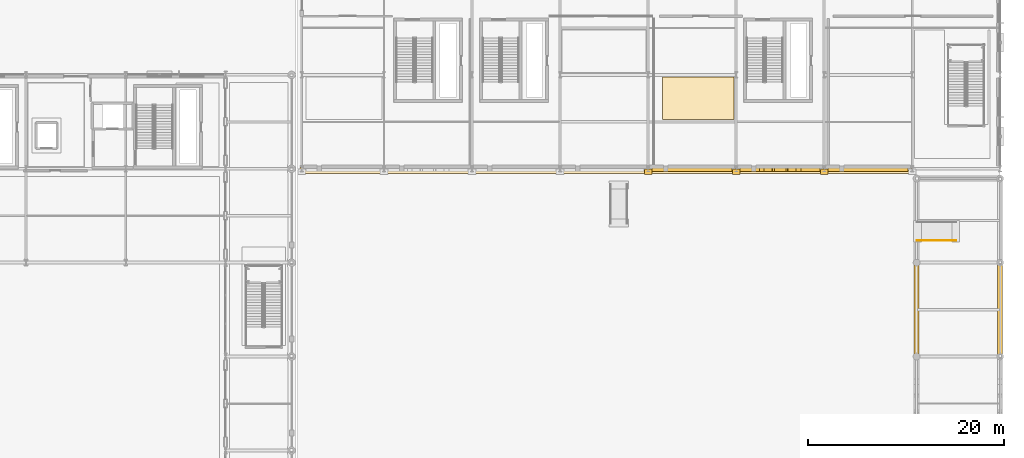
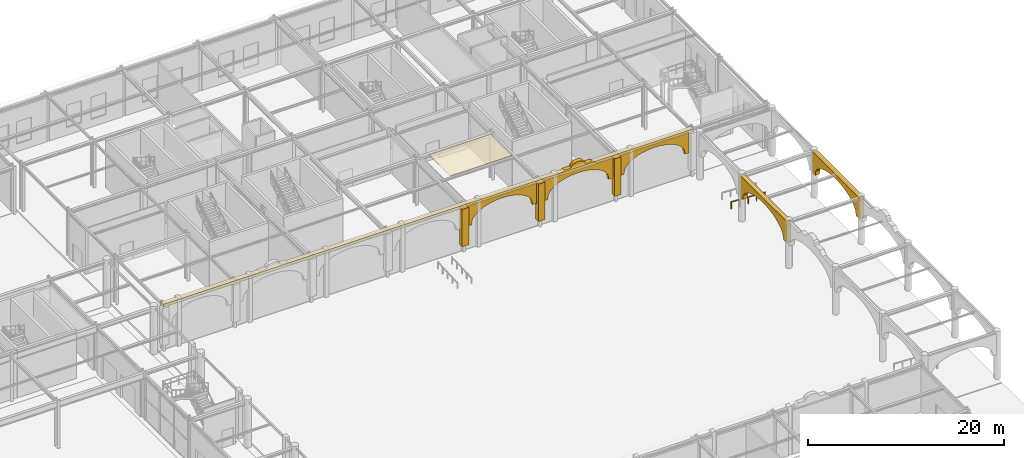
# One storey, part 105 of 113: 10 coverings, 1 railing.
"""IFC4 building model written with IfcOpenShell, lengths in metres."""

from ifc_helpers import new_model, si_unit, direction, frame, origin, origin_2d, place, context, subcontext, project, spatial, polyline, rectangle, outline, extrude, material, layer, layer_set, type_object, element, save


model = new_model("IFC4")

# Units and contexts
model_context = context("Model", 3, precision=1e-05, world=origin(), true_north=direction((0.0, 1.0)))
body_context = subcontext(model_context, "Body", "Model", "MODEL_VIEW")
ifc_project = project(units=[si_unit("LENGTHUNIT", "METRE"), si_unit("AREAUNIT", "SQUARE_METRE"), si_unit("VOLUMEUNIT", "CUBIC_METRE"), si_unit("PLANEANGLEUNIT", "RADIAN"), si_unit("MASSUNIT", "GRAM", prefix="KILO")], contexts=[model_context])

# Site, building, storey
site_placement = place(None, origin())
site = spatial("IfcSite", under=ifc_project, at=site_placement, CompositionType="ELEMENT")
building_placement = place(site_placement, origin())
building = spatial("IfcBuilding", under=site, at=building_placement, Name="Myrtia Square Station", CompositionType="ELEMENT")
storey_placement = place(building_placement, origin())
storey = spatial("IfcBuildingStorey", under=building, at=storey_placement, Name="L00", CompositionType="ELEMENT", Elevation=0.0)

# Coverings
ifc_material_1 = material(Name="Pentelic marble ashlar", Category="masonry")
ifc_layer_1 = layer(ifc_material_1, 0.4599609375, Name="Pentelic marble ashlar")
ifc_layer_set_1 = layer_set([ifc_layer_1], Name="Pentelic marble ashlar")
covering_type_1 = type_object("IfcCoveringType", Name="COV-ARCH-ASHLAR", PredefinedType="CLADDING", material=ifc_layer_set_1)
for number, where, z_axis, x_axis, name in (
    (1, (180.449951171875, 67.199951171875, 3.050048828125), (0.0, 0.0, 1.0), (0.0, 1.0, 0.0), "Forecourt square portales arch 007"),
    (2, (189.0, 67.199951171875, 3.050048828125), (0.0, 0.0, 1.0), (0.0, 1.0, 0.0), "Forecourt street portales arch 008"),
):
    element("IfcCovering", number, at=place(storey_placement, frame(where, z_axis=z_axis, x_axis=x_axis)), inside=storey, type_object=covering_type_1, Name=name, PredefinedType="CLADDING", context=body_context, shape_type="SweptSolid", body=[
        extrude(outline(polyline([(0.0, 0.0), (0.64990234375, 0.0), (0.64990234375, 0.199951171875), (0.729736328125, 0.570556640625), (0.9658203125, 0.927001953125), (1.349365234375, 1.255615234375), (1.865478515625, 1.54345703125), (2.494384765625, 1.77978515625), (3.2119140625, 1.955322265625), (3.990478515625, 2.0634765625), (4.800048828125, 2.099853515625), (5.609619140625, 2.0634765625), (6.38818359375, 1.955322265625), (7.105712890625, 1.77978515625), (7.734619140625, 1.54345703125), (8.250732421875, 1.255615234375), (8.63427734375, 0.927001953125), (8.870361328125, 0.570556640625), (8.9501953125, 0.199951171875), (8.9501953125, 0.0), (9.60009765625, 0.0), (9.60009765625, 2.669921875), (0.0, 2.669921875), (0.0, 0.0)])), frame((0.0, 0.260009765625, 0.0), z_axis=(0.0, -1.0, 0.0), x_axis=(1.0, 0.0, 0.0)), (0.0, 0.0, 1.0), 0.52001953125),
    ])
covering_1_placement = place(storey_placement, frame((153.419921875, 86.35009765625, 3.050048828125), z_axis=(0.0, 0.0, 1.0), x_axis=(1.0, 0.0, 0.0)))
element("IfcCovering", 3, at=covering_1_placement, inside=storey, type_object=covering_type_1, Name="North square portales arcade arch 035", PredefinedType="CLADDING", context=body_context, shape_type="SweptSolid", body=[
    extrude(outline(polyline([(0.0, 0.0), (0.5, 0.0), (0.5, 0.199951171875), (0.56884765625, 0.570556640625), (0.7724609375, 0.927001953125), (1.103271484375, 1.255615234375), (1.548583984375, 1.54345703125), (2.091064453125, 1.77978515625), (2.7099609375, 1.955322265625), (3.381591796875, 2.0634765625), (4.080078125, 2.099853515625), (4.778564453125, 2.0634765625), (5.4501953125, 1.955322265625), (6.069091796875, 1.77978515625), (6.611572265625, 1.54345703125), (7.056884765625, 1.255615234375), (7.3876953125, 0.927001953125), (7.59130859375, 0.570556640625), (7.66015625, 0.199951171875), (7.66015625, 0.0), (8.16015625, 0.0), (8.16015625, 2.570068359375), (0.0, 2.570068359375), (0.0, 0.0)])), frame((0.0, 0.239990234375, 0.0), z_axis=(0.0, -1.0, 0.0), x_axis=(1.0, 0.0, 0.0)), (0.0, 0.0, 1.0), 0.47998046875),
])
covering_2_placement = place(storey_placement, frame((162.419921875, 86.35009765625, 3.050048828125), z_axis=(0.0, 0.0, 1.0), x_axis=(1.0, 0.0, 0.0)))
element("IfcCovering", 4, at=covering_2_placement, inside=storey, type_object=covering_type_1, Name="North square portales arcade arch 037", PredefinedType="CLADDING", context=body_context, shape_type="SweptSolid", body=[
    extrude(outline(polyline([(0.0, 0.0), (0.5, 0.0), (0.5, 0.199951171875), (0.56884765625, 0.570556640625), (0.7724609375, 0.927001953125), (1.103271484375, 1.255615234375), (1.548583984375, 1.54345703125), (2.091064453125, 1.77978515625), (2.7099609375, 1.955322265625), (3.381591796875, 2.0634765625), (4.080078125, 2.099853515625), (4.778564453125, 2.0634765625), (5.4501953125, 1.955322265625), (6.069091796875, 1.77978515625), (6.611572265625, 1.54345703125), (7.056884765625, 1.255615234375), (7.3876953125, 0.927001953125), (7.59130859375, 0.570556640625), (7.66015625, 0.199951171875), (7.66015625, 0.0), (8.16015625, 0.0), (8.16015625, 2.570068359375), (6.20166015625, 2.570068359375), (5.712158203125, 2.968994140625), (4.89599609375, 2.968994140625), (4.833984375, 3.179931640625), (4.656982421875, 3.358642578125), (4.392333984375, 3.47802734375), (4.080078125, 3.52001953125), (3.767822265625, 3.47802734375), (3.503173828125, 3.358642578125), (3.326171875, 3.179931640625), (3.26416015625, 2.968994140625), (2.447998046875, 2.968994140625), (1.95849609375, 2.570068359375), (0.0, 2.570068359375), (0.0, 0.0)])), frame((0.0, 0.239990234375, 0.0), z_axis=(0.0, -1.0, 0.0), x_axis=(1.0, 0.0, 0.0)), (0.0, 0.0, 1.0), 0.47998046875),
])
covering_3_placement = place(storey_placement, frame((171.419921875, 86.35009765625, 3.050048828125), z_axis=(0.0, 0.0, 1.0), x_axis=(1.0, 0.0, 0.0)))
element("IfcCovering", 5, at=covering_3_placement, inside=storey, type_object=covering_type_1, Name="North square portales arcade arch 039", PredefinedType="CLADDING", context=body_context, shape_type="SweptSolid", body=[
    extrude(outline(polyline([(0.0, 0.0), (0.5, 0.0), (0.5, 0.199951171875), (0.56884765625, 0.570556640625), (0.7724609375, 0.927001953125), (1.103271484375, 1.255615234375), (1.548583984375, 1.54345703125), (2.091064453125, 1.77978515625), (2.7099609375, 1.955322265625), (3.381591796875, 2.0634765625), (4.080078125, 2.099853515625), (4.778564453125, 2.0634765625), (5.4501953125, 1.955322265625), (6.069091796875, 1.77978515625), (6.611572265625, 1.54345703125), (7.056884765625, 1.255615234375), (7.3876953125, 0.927001953125), (7.59130859375, 0.570556640625), (7.66015625, 0.199951171875), (7.66015625, 0.0), (8.16015625, 0.0), (8.16015625, 2.570068359375), (0.0, 2.570068359375), (0.0, 0.0)])), frame((0.0, 0.239990234375, 0.0), z_axis=(0.0, -1.0, 0.0), x_axis=(1.0, 0.0, 0.0)), (0.0, 0.0, 1.0), 0.47998046875),
])
for number, where, z_axis, x_axis, name in (
    (6, (153.0, 86.080078125, 0.919921875), (0.0, 0.0, 1.0), (1.0, 0.0, 0.0), "Classical Pentelic ashlar pilaster 086"),
    (7, (162.0, 86.080078125, 0.919921875), (0.0, 0.0, 1.0), (1.0, 0.0, 0.0), "Classical Pentelic ashlar pilaster 095"),
    (8, (171.0, 86.080078125, 0.919921875), (0.0, 0.0, 1.0), (1.0, 0.0, 0.0), "Classical Pentelic ashlar pilaster 105"),
):
    element("IfcCovering", number, at=place(storey_placement, frame(where, z_axis=z_axis, x_axis=x_axis)), inside=storey, type_object=covering_type_1, Name=name, PredefinedType="CLADDING", context=body_context, shape_type="SweptSolid", body=[
        extrude(rectangle(XDim=0.780029296875, YDim=0.56005859375, at=origin_2d()), origin(), (0.0, 0.0, 1.0), 4.679931640625),
    ])
ifc_material_2 = material(Name="Acoustic European oak timber", Category="wood")
ifc_layer_2 = layer(ifc_material_2, 0.044921875, Name="Acoustic European oak timber")
ifc_layer_set_2 = layer_set([ifc_layer_2], Name="Acoustic European oak timber")
covering_type_2 = type_object("IfcCoveringType", Name="COV-CEIL-OAK", PredefinedType="CEILING", material=ifc_layer_set_2)
covering_4_placement = place(storey_placement, frame((0.0, 0.0, 5.705078125)))
element("IfcCovering", 9, at=covering_4_placement, inside=storey, type_object=covering_type_2, Name="Acoustic coffer ceiling L00-15", PredefinedType="CEILING", context=body_context, shape_type="SweptSolid", body=[
    extrude(outline(polyline([(154.449951171875, 95.780029296875), (161.780029296875, 95.780029296875), (161.780029296875, 91.419921875), (154.449951171875, 91.419921875), (154.449951171875, 95.780029296875)])), origin(), (0.0, 0.0, 1.0), 0.044921875),
])
ifc_layer_3 = layer(ifc_material_1, 0.47998046875, Name="Pentelic marble ashlar")
ifc_layer_set_3 = layer_set([ifc_layer_3], Name="Pentelic marble ashlar")
covering_type_3 = type_object("IfcCoveringType", Name="COV-CORNICE-ASHLAR", PredefinedType="MOLDING", material=ifc_layer_set_3)
covering_5_placement = place(storey_placement, frame((148.699951171875, 86.22998046875, 5.6201171875), z_axis=(0.0, 0.0, 1.0), x_axis=(1.0, 0.0, 0.0)))
element("IfcCovering", 10, at=covering_5_placement, inside=storey, type_object=covering_type_3, Name="Classical entablature cornice moulding 008", PredefinedType="MOLDING", context=body_context, shape_type="SweptSolid", body=[
    extrude(rectangle(XDim=62.60009765625, YDim=0.580078125, at=origin_2d()), origin(), (0.0, 0.0, 1.0), 0.360107421875),
])

# Railing
ifc_material_3 = material(Name="Dark bronze anodised aluminium", Category="aluminium")
railing_type = type_object("IfcRailingType", Name="RL-HANDRAIL-900", PredefinedType="HANDRAIL", material=ifc_material_3)
railing_placement = place(storey_placement, frame((184.5, 79.06005859375, -0.199951171875)))
element("IfcRailing", 11, at=railing_placement, inside=storey, type_object=railing_type, Name="Accessible ramp handrail RP1-L", PredefinedType="HANDRAIL", context=body_context, shape_type="SweptSolid", body=[
    extrude(rectangle(XDim=0.048095703125, YDim=0.048095703125, at=origin_2d()), frame((-0.03466796875, 0.0, 0.877685546875), z_axis=(-0.998752946874, 0.0, 0.049925455535), x_axis=(0.0, -1.0, 0.0)), (0.0, 0.0, 1.0), 0.931884765625),
    extrude(rectangle(XDim=0.048095703125, YDim=0.048095703125, at=origin_2d()), frame((-1.03466796875, 0.0, 0.927490234375), z_axis=(-0.998752946874, 0.0, 0.049925455535), x_axis=(0.0, -1.0, 0.0)), (0.0, 0.0, 1.0), 0.931884765625),
    extrude(rectangle(XDim=0.048095703125, YDim=0.048095703125, at=origin_2d()), frame((-2.03466796875, 0.0, 0.9775390625), z_axis=(-0.998752946874, 0.0, 0.049925455535), x_axis=(0.0, -1.0, 0.0)), (0.0, 0.0, 1.0), 0.931884765625),
    extrude(rectangle(XDim=0.048095703125, YDim=0.048095703125, at=origin_2d()), frame((-3.03466796875, 0.0, 1.027587890625), z_axis=(-0.998752946874, 0.0, 0.049925455535), x_axis=(0.0, -1.0, 0.0)), (0.0, 0.0, 1.0), 0.931884765625),
    extrude(rectangle(XDim=0.0439453125, YDim=0.0439453125, at=origin_2d()), origin(), (0.0, 0.0, 1.0), 0.89990234375),
    extrude(rectangle(XDim=0.0439453125, YDim=0.0439453125, at=origin_2d()), frame((-1.0, 0.0, 0.050048828125)), (0.0, 0.0, 1.0), 0.89990234375),
    extrude(rectangle(XDim=0.0439453125, YDim=0.0439453125, at=origin_2d()), frame((-2.0, 0.0, 0.10009765625)), (0.0, 0.0, 1.0), 0.89990234375),
    extrude(rectangle(XDim=0.0439453125, YDim=0.0439453125, at=origin_2d()), frame((-3.0, 0.0, 0.14990234375)), (0.0, 0.0, 1.0), 0.89990234375),
    extrude(rectangle(XDim=0.0439453125, YDim=0.0439453125, at=origin_2d()), frame((-4.0, 0.0, 0.199951171875)), (0.0, 0.0, 1.0), 0.89990234375),
])

save(model, "model.ifc")
